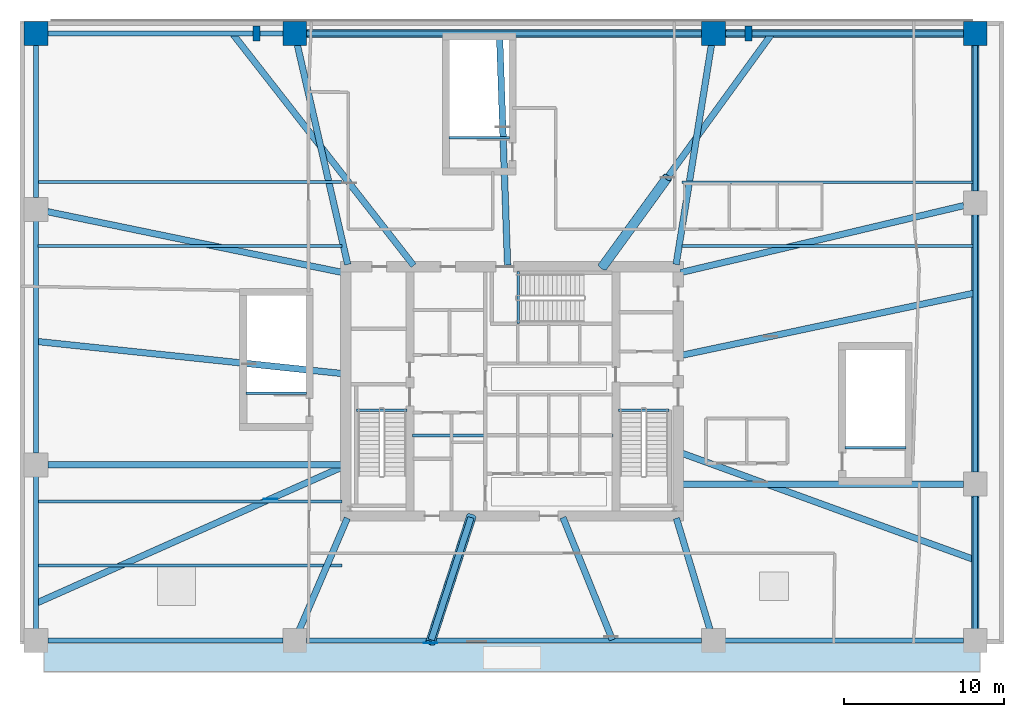
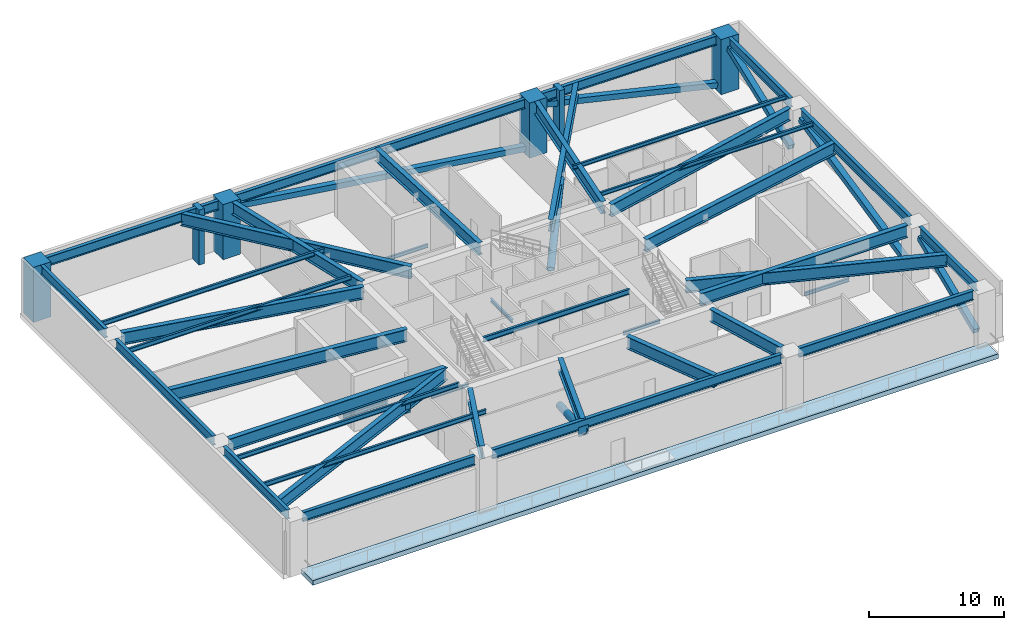
# One storey, part 3 of 10: 42 beams, 7 members, 6 columns, 2 plates, 1 slab.
"""IFC4 building model written with IfcOpenShell, lengths in metres."""

from ifc_helpers import new_model, si_unit, direction, frame, origin, origin_2d, place, context, subcontext, project, spatial, polyline, rectangle, hollow_rectangle, hollow_circle, i_section, outline, extrude, material, layer, layer_set, material_profile, profile_set, type_object, element, save


model = new_model("IFC4")

# Units and contexts
model_context = context("Model", 3, precision=1e-05, world=origin(), true_north=direction((0.0, 1.0)))
body_context = subcontext(model_context, "Body", "Model", "MODEL_VIEW")
ifc_project = project(units=[si_unit("LENGTHUNIT", "METRE"), si_unit("AREAUNIT", "SQUARE_METRE"), si_unit("VOLUMEUNIT", "CUBIC_METRE"), si_unit("PLANEANGLEUNIT", "RADIAN"), si_unit("MASSUNIT", "GRAM", prefix="KILO")], contexts=[model_context])

# Site, building, storey
site_placement = place(None, origin())
site = spatial("IfcSite", under=ifc_project, at=site_placement, CompositionType="ELEMENT")
building_placement = place(site_placement, origin())
building = spatial("IfcBuilding", under=site, at=building_placement, Name="Qarnah Convention Tower", CompositionType="ELEMENT")
storey_placement = place(building_placement, frame((0.0, 0.0, 21.60009765625)))
storey = spatial("IfcBuildingStorey", under=building, at=storey_placement, Name="L04", CompositionType="ELEMENT", Elevation=21.60009765625)

# Columns
ifc_material_1 = material(Name="Concrete C60/75", Category="concrete")
ifc_material_profile_1 = material_profile(ifc_material_1, rectangle(XDim=1.5, YDim=1.5, at=origin_2d()), Name="RC-COL-1500X1500")
ifc_profile_set_1 = profile_set([ifc_material_profile_1], Name="Concrete C60/75")
column_type_1 = type_object("IfcColumnType", Name="COL-MC1500", PredefinedType="COLUMN", material=ifc_profile_set_1)
for number, where, z_axis, x_axis, name in (
    (1, (66.199951171875, 48.800048828125, 0.0), (0.0, 0.0, 1.0), (1.0, 0.0, 0.0), "L04 plumb column MC-07"),
    (2, (49.800048828125, 48.800048828125, 0.0), (0.0, 0.0, 1.0), (1.0, 0.0, 0.0), "L04 plumb column MC-08"),
    (3, (23.60009765625, 48.800048828125, 0.0), (0.0, 0.0, 1.0), (1.0, 0.0, 0.0), "L04 plumb column MC-09"),
    (4, (7.39990234375, 48.800048828125, 0.0), (0.0, 0.0, 1.0), (1.0, 0.0, 0.0), "L04 plumb column MC-10"),
):
    element("IfcColumn", number, at=place(storey_placement, frame(where, z_axis=z_axis, x_axis=x_axis)), inside=storey, type_object=column_type_1, Name=name, PredefinedType="COLUMN", context=body_context, shape_type="SweptSolid", body=[
        extrude(rectangle(XDim=1.5, YDim=1.5, at=origin_2d()), origin(), (0.0, 0.0, 1.0), 4.97998046875),
    ])
ifc_material_2 = material(Name="Precast concrete C45/55", Category="concrete")
ifc_material_profile_2 = material_profile(ifc_material_2, rectangle(XDim=0.449951171875, YDim=0.949951171875, at=origin_2d()), Name="PC-RIB-450X950")
ifc_profile_set_2 = profile_set([ifc_material_profile_2], Name="Precast concrete C45/55")
column_type_2 = type_object("IfcColumnType", Name="PIL-POD-450", PredefinedType="PILASTER", material=ifc_profile_set_2)
for number, where, z_axis, x_axis, name in (
    (5, (21.199951171875, 48.800048828125, 0.0), (0.0, 0.0, 1.0), (1.0, 0.0, 0.0), "L04 structural concrete pilaster 1"),
    (6, (52.0, 48.800048828125, 0.0), (0.0, 0.0, 1.0), (1.0, 0.0, 0.0), "L04 structural concrete pilaster 2"),
):
    element("IfcColumn", number, at=place(storey_placement, frame(where, z_axis=z_axis, x_axis=x_axis)), inside=storey, type_object=column_type_2, Name=name, PredefinedType="PILASTER", context=body_context, shape_type="SweptSolid", body=[
        extrude(rectangle(XDim=0.449951171875, YDim=0.949951171875, at=origin_2d()), origin(), (0.0, 0.0, 1.0), 4.97998046875),
    ])

# Beams
ifc_material_3 = material(Name="Structural steel S355JR", Category="steel")
ifc_material_profile_3 = material_profile(ifc_material_3, i_section(OverallWidth=0.19189453125, OverallDepth=0.464111328125, WebThickness=0.010986328125, FlangeThickness=0.01806640625, at=origin_2d()), Name="W460X89")
ifc_profile_set_3 = profile_set([ifc_material_profile_3], Name="Structural steel S355JR")
beam_type_1 = type_object("IfcBeamType", Name="BM-CANT-W460A", PredefinedType="BEAM", material=ifc_profile_set_3)
beam_1_placement = place(storey_placement, frame((30.97998046875, 23.64990234375, 4.747802734375), z_axis=(1.0, 0.0, 0.0), x_axis=(0.0, 1.0, 0.0)))
element("IfcBeam", 7, at=beam_1_placement, inside=storey, type_object=beam_type_1, Name="L04 beam BM-L04-KC1", PredefinedType="BEAM", context=body_context, shape_type="SweptSolid", body=[
    extrude(i_section(OverallWidth=0.19189453125, OverallDepth=0.464111328125, WebThickness=0.010986328125, FlangeThickness=0.01806640625, at=origin_2d()), origin(), (0.0, 0.0, 1.0), 12.5400390625),
])
ifc_material_profile_4 = material_profile(ifc_material_3, i_section(OverallWidth=0.166015625, OverallDepth=0.31201171875, WebThickness=0.007080078125, FlangeThickness=0.010986328125, at=origin_2d()), Name="W310X45")
ifc_profile_set_4 = profile_set([ifc_material_profile_4], Name="Structural steel S355JR")
beam_type_2 = type_object("IfcBeamType", Name="BM-JST-W310", PredefinedType="JOIST", material=ifc_profile_set_4)
for number, where, z_axis, x_axis, name in (
    (8, (27.4599609375, 25.217041015625, -0.156005859375), (1.0, 0.0, 0.0), (0.0, 1.0, 0.0), "L04 stair landing trimmer beam BM-L04-ST1-TRM"),
    (9, (43.860107421875, 25.217041015625, -0.156005859375), (1.0, 0.0, 0.0), (0.0, 1.0, 0.0), "L04 stair landing trimmer beam BM-L04-ST2-TRM"),
):
    element("IfcBeam", number, at=place(storey_placement, frame(where, z_axis=z_axis, x_axis=x_axis)), inside=storey, type_object=beam_type_2, Name=name, PredefinedType="BEAM", context=body_context, shape_type="SweptSolid", body=[
        extrude(i_section(OverallWidth=0.166015625, OverallDepth=0.31201171875, WebThickness=0.007080078125, FlangeThickness=0.010986328125, at=origin_2d()), origin(), (0.0, 0.0, 1.0), 3.179931640625),
    ])
beam_2_placement = place(storey_placement, frame((37.5830078125, 30.659912109375, -0.156005859375), z_axis=(0.0, 1.0, 0.0), x_axis=(-1.0, 0.0, 0.0)))
element("IfcBeam", 10, at=beam_2_placement, inside=storey, type_object=beam_type_2, Name="L04 stair landing trimmer beam BM-L04-ST3-TRM", PredefinedType="BEAM", context=body_context, shape_type="SweptSolid", body=[
    extrude(i_section(OverallWidth=0.166015625, OverallDepth=0.31201171875, WebThickness=0.007080078125, FlangeThickness=0.010986328125, at=origin_2d()), origin(), (0.0, 0.0, 1.0), 3.239990234375),
])
for number, where, z_axis, x_axis, name in (
    (11, (58.050048828125, 22.883056640625, -0.156005859375), (1.0, 0.0, 0.0), (0.0, 1.0, 0.0), "L04 podium stair trimmer beam BM-L04-ST4-TRM"),
    (12, (20.550048828125, 26.282958984375, -0.156005859375), (1.0, 0.0, 0.0), (0.0, 1.0, 0.0), "L04 podium stair trimmer beam BM-L04-ST5-TRM"),
    (13, (33.25, 42.282958984375, -0.156005859375), (1.0, 0.0, 0.0), (0.0, 1.0, 0.0), "L04 podium stair trimmer beam BM-L04-ST6-TRM"),
):
    element("IfcBeam", number, at=place(storey_placement, frame(where, z_axis=z_axis, x_axis=x_axis)), inside=storey, type_object=beam_type_2, Name=name, PredefinedType="BEAM", context=body_context, shape_type="SweptSolid", body=[
        extrude(i_section(OverallWidth=0.166015625, OverallDepth=0.31201171875, WebThickness=0.007080078125, FlangeThickness=0.010986328125, at=origin_2d()), origin(), (0.0, 0.0, 1.0), 3.800048828125),
    ])
ifc_material_profile_5 = material_profile(ifc_material_3, i_section(OverallWidth=0.172119140625, OverallDepth=0.35595703125, WebThickness=0.007080078125, FlangeThickness=0.011962890625, at=origin_2d()), Name="W360X51")
ifc_profile_set_5 = profile_set([ifc_material_profile_5], Name="Structural steel S355JR")
beam_type_3 = type_object("IfcBeamType", Name="BM-JST-W360", PredefinedType="JOIST", material=ifc_profile_set_5)
for number, where, z_axis, x_axis, name in (
    (14, (47.85009765625, 35.5, 4.802001953125), (1.0, 0.0, 0.0), (0.0, 1.0, 0.0), "L04 joist BM-L04-JSTE-03"),
    (15, (47.85009765625, 39.5, 4.802001953125), (1.0, 0.0, 0.0), (0.0, 1.0, 0.0), "L04 joist BM-L04-JSTE-04"),
):
    element("IfcBeam", number, at=place(storey_placement, frame(where, z_axis=z_axis, x_axis=x_axis)), inside=storey, type_object=beam_type_3, Name=name, PredefinedType="JOIST", context=body_context, shape_type="SweptSolid", body=[
        extrude(i_section(OverallWidth=0.172119140625, OverallDepth=0.35595703125, WebThickness=0.007080078125, FlangeThickness=0.011962890625, at=origin_2d()), origin(), (0.0, 0.0, 1.0), 18.2099609375),
    ])
ifc_material_profile_6 = material_profile(ifc_material_3, i_section(OverallWidth=0.177978515625, OverallDepth=0.407958984375, WebThickness=0.008056640625, FlangeThickness=0.012939453125, at=origin_2d()), Name="W410X60")
ifc_profile_set_6 = profile_set([ifc_material_profile_6], Name="Structural steel S355JR")
beam_type_4 = type_object("IfcBeamType", Name="BM-JST-W410", PredefinedType="JOIST", material=ifc_profile_set_6)
for number, where, z_axis, x_axis, name in (
    (16, (7.5400390625, 15.5, 4.77587890625), (1.0, 0.0, 0.0), (0.0, 1.0, 0.0), "L04 joist BM-L04-JSTW-01"),
    (17, (7.5400390625, 19.5, 4.77587890625), (1.0, 0.0, 0.0), (0.0, 1.0, 0.0), "L04 joist BM-L04-JSTW-02"),
    (18, (7.5400390625, 35.5, 4.77587890625), (1.0, 0.0, 0.0), (0.0, 1.0, 0.0), "L04 joist BM-L04-JSTW-03"),
    (19, (7.5400390625, 39.5, 4.77587890625), (1.0, 0.0, 0.0), (0.0, 1.0, 0.0), "L04 joist BM-L04-JSTW-04"),
):
    element("IfcBeam", number, at=place(storey_placement, frame(where, z_axis=z_axis, x_axis=x_axis)), inside=storey, type_object=beam_type_4, Name=name, PredefinedType="JOIST", context=body_context, shape_type="SweptSolid", body=[
        extrude(i_section(OverallWidth=0.177978515625, OverallDepth=0.407958984375, WebThickness=0.008056640625, FlangeThickness=0.012939453125, at=origin_2d()), origin(), (0.0, 0.0, 1.0), 19.010009765625),
    ])
ifc_material_profile_7 = material_profile(ifc_material_3, i_section(OverallWidth=0.2939453125, OverallDepth=0.843994140625, WebThickness=0.01708984375, FlangeThickness=0.02587890625, at=origin_2d()), Name="W840X251")
ifc_profile_set_7 = profile_set([ifc_material_profile_7], Name="Structural steel S355JR")
beam_type_5 = type_object("IfcBeamType", Name="BM-POD-W840A", PredefinedType="BEAM", material=ifc_profile_set_7)
beam_3_placement = place(storey_placement, frame((8.139892578125, 10.800048828125, 4.557861328125), z_axis=(1.0, 0.0, 0.0), x_axis=(0.0, 1.0, 0.0)))
element("IfcBeam", 20, at=beam_3_placement, inside=storey, type_object=beam_type_5, Name="L04 spandrel BM-L04-PRG-01", PredefinedType="SPANDREL", context=body_context, shape_type="SweptSolid", body=[
    extrude(i_section(OverallWidth=0.2939453125, OverallDepth=0.843994140625, WebThickness=0.01708984375, FlangeThickness=0.02587890625, at=origin_2d()), origin(), (0.0, 0.0, 1.0), 14.72021484375),
])
beam_4_placement = place(storey_placement, frame((24.340087890625, 10.800048828125, 4.557861328125), z_axis=(1.0, 0.0, 0.0), x_axis=(0.0, 1.0, 0.0)))
element("IfcBeam", 21, at=beam_4_placement, inside=storey, type_object=beam_type_5, Name="L04 spandrel BM-L04-PRG-02", PredefinedType="SPANDREL", context=body_context, shape_type="SweptSolid", body=[
    extrude(i_section(OverallWidth=0.2939453125, OverallDepth=0.843994140625, WebThickness=0.01708984375, FlangeThickness=0.02587890625, at=origin_2d()), origin(), (0.0, 0.0, 1.0), 24.719970703125),
])
beam_5_placement = place(storey_placement, frame((50.5400390625, 10.800048828125, 4.557861328125), z_axis=(1.0, 0.0, 0.0), x_axis=(0.0, 1.0, 0.0)))
element("IfcBeam", 22, at=beam_5_placement, inside=storey, type_object=beam_type_5, Name="L04 spandrel BM-L04-PRG-03", PredefinedType="SPANDREL", context=body_context, shape_type="SweptSolid", body=[
    extrude(i_section(OverallWidth=0.2939453125, OverallDepth=0.843994140625, WebThickness=0.01708984375, FlangeThickness=0.02587890625, at=origin_2d()), origin(), (0.0, 0.0, 1.0), 14.919921875),
])
beam_6_placement = place(storey_placement, frame((66.199951171875, 11.5400390625, 4.557861328125), z_axis=(0.0, 1.0, 0.0), x_axis=(-1.0, 0.0, 0.0)))
element("IfcBeam", 23, at=beam_6_placement, inside=storey, type_object=beam_type_5, Name="L04 spandrel BM-L04-PRG-04", PredefinedType="SPANDREL", context=body_context, shape_type="SweptSolid", body=[
    extrude(i_section(OverallWidth=0.2939453125, OverallDepth=0.843994140625, WebThickness=0.01708984375, FlangeThickness=0.02587890625, at=origin_2d()), origin(), (0.0, 0.0, 1.0), 8.320068359375),
])
beam_7_placement = place(storey_placement, frame((66.199951171875, 21.340087890625, 4.557861328125), z_axis=(0.0, 1.0, 0.0), x_axis=(-1.0, 0.0, 0.0)))
element("IfcBeam", 24, at=beam_7_placement, inside=storey, type_object=beam_type_5, Name="L04 spandrel BM-L04-PRG-05", PredefinedType="SPANDREL", context=body_context, shape_type="SweptSolid", body=[
    extrude(i_section(OverallWidth=0.2939453125, OverallDepth=0.843994140625, WebThickness=0.01708984375, FlangeThickness=0.02587890625, at=origin_2d()), origin(), (0.0, 0.0, 1.0), 16.119873046875),
])
beam_8_placement = place(storey_placement, frame((66.199951171875, 38.93994140625, 4.557861328125), z_axis=(0.0, 1.0, 0.0), x_axis=(-1.0, 0.0, 0.0)))
element("IfcBeam", 25, at=beam_8_placement, inside=storey, type_object=beam_type_5, Name="L04 spandrel BM-L04-PRG-06", PredefinedType="SPANDREL", context=body_context, shape_type="SweptSolid", body=[
    extrude(i_section(OverallWidth=0.2939453125, OverallDepth=0.843994140625, WebThickness=0.01708984375, FlangeThickness=0.02587890625, at=origin_2d()), origin(), (0.0, 0.0, 1.0), 9.1201171875),
])
beam_9_placement = place(storey_placement, frame((65.4599609375, 48.800048828125, 4.557861328125), z_axis=(-1.0, 0.0, 0.0), x_axis=(0.0, -1.0, 0.0)))
element("IfcBeam", 26, at=beam_9_placement, inside=storey, type_object=beam_type_5, Name="L04 spandrel BM-L04-PRG-07", PredefinedType="SPANDREL", context=body_context, shape_type="SweptSolid", body=[
    extrude(i_section(OverallWidth=0.2939453125, OverallDepth=0.843994140625, WebThickness=0.01708984375, FlangeThickness=0.02587890625, at=origin_2d()), origin(), (0.0, 0.0, 1.0), 14.919921875),
])
beam_10_placement = place(storey_placement, frame((49.06005859375, 48.800048828125, 4.557861328125), z_axis=(-1.0, 0.0, 0.0), x_axis=(0.0, -1.0, 0.0)))
element("IfcBeam", 27, at=beam_10_placement, inside=storey, type_object=beam_type_5, Name="L04 spandrel BM-L04-PRG-08", PredefinedType="SPANDREL", context=body_context, shape_type="SweptSolid", body=[
    extrude(i_section(OverallWidth=0.2939453125, OverallDepth=0.843994140625, WebThickness=0.01708984375, FlangeThickness=0.02587890625, at=origin_2d()), origin(), (0.0, 0.0, 1.0), 24.719970703125),
])
beam_11_placement = place(storey_placement, frame((22.860107421875, 48.800048828125, 4.557861328125), z_axis=(-1.0, 0.0, 0.0), x_axis=(0.0, -1.0, 0.0)))
element("IfcBeam", 28, at=beam_11_placement, inside=storey, type_object=beam_type_5, Name="L04 spandrel BM-L04-PRG-09", PredefinedType="SPANDREL", context=body_context, shape_type="SweptSolid", body=[
    extrude(i_section(OverallWidth=0.2939453125, OverallDepth=0.843994140625, WebThickness=0.01708984375, FlangeThickness=0.02587890625, at=origin_2d()), origin(), (0.0, 0.0, 1.0), 14.72021484375),
])
beam_12_placement = place(storey_placement, frame((7.39990234375, 48.06005859375, 4.557861328125), z_axis=(0.0, -1.0, 0.0), x_axis=(1.0, 0.0, 0.0)))
element("IfcBeam", 29, at=beam_12_placement, inside=storey, type_object=beam_type_5, Name="L04 spandrel BM-L04-PRG-10", PredefinedType="SPANDREL", context=body_context, shape_type="SweptSolid", body=[
    extrude(i_section(OverallWidth=0.2939453125, OverallDepth=0.843994140625, WebThickness=0.01708984375, FlangeThickness=0.02587890625, at=origin_2d()), origin(), (0.0, 0.0, 1.0), 9.52001953125),
])
beam_13_placement = place(storey_placement, frame((7.39990234375, 37.06005859375, 4.557861328125), z_axis=(0.0, -1.0, 0.0), x_axis=(1.0, 0.0, 0.0)))
element("IfcBeam", 30, at=beam_13_placement, inside=storey, type_object=beam_type_5, Name="L04 spandrel BM-L04-PRG-11", PredefinedType="SPANDREL", context=body_context, shape_type="SweptSolid", body=[
    extrude(i_section(OverallWidth=0.2939453125, OverallDepth=0.843994140625, WebThickness=0.01708984375, FlangeThickness=0.02587890625, at=origin_2d()), origin(), (0.0, 0.0, 1.0), 14.52001953125),
])
beam_14_placement = place(storey_placement, frame((7.39990234375, 21.06005859375, 4.557861328125), z_axis=(0.0, -1.0, 0.0), x_axis=(1.0, 0.0, 0.0)))
element("IfcBeam", 31, at=beam_14_placement, inside=storey, type_object=beam_type_5, Name="L04 spandrel BM-L04-PRG-12", PredefinedType="SPANDREL", context=body_context, shape_type="SweptSolid", body=[
    extrude(i_section(OverallWidth=0.2939453125, OverallDepth=0.843994140625, WebThickness=0.01708984375, FlangeThickness=0.02587890625, at=origin_2d()), origin(), (0.0, 0.0, 1.0), 9.52001953125),
])
ifc_material_profile_8 = material_profile(ifc_material_3, i_section(OverallWidth=0.405029296875, OverallDepth=1.117919921875, WebThickness=0.02587890625, FlangeThickness=0.0400390625, at=origin_2d()), Name="W1100X499")
ifc_profile_set_8 = profile_set([ifc_material_profile_8], Name="Structural steel S355JR")
beam_type_6 = type_object("IfcBeamType", Name="BM-TG-W1000A", PredefinedType="USERDEFINED", material=ifc_profile_set_8)
beam_15_placement = place(storey_placement, frame((23.89208984375, 11.47998046875, 4.4208984375), z_axis=(0.394671426101, 0.918822325272, 0.0), x_axis=(-0.918822325272, 0.394671426101, 0.0)))
element("IfcBeam", 32, at=beam_15_placement, inside=storey, type_object=beam_type_6, Name="L04 transfer girder BM-L04-CSP-02", ObjectType="TRANSFER_GIRDER", PredefinedType="USERDEFINED", context=body_context, shape_type="SweptSolid", body=[
    extrude(i_section(OverallWidth=0.405029296875, OverallDepth=1.117919921875, WebThickness=0.02587890625, FlangeThickness=0.0400390625, at=origin_2d()), origin(), (0.0, 0.0, 1.0), 7.598876953125),
])
beam_16_placement = place(storey_placement, frame((49.5869140625, 11.509033203125, 4.4208984375), z_axis=(-0.288597860152, 0.957450403476, 0.0), x_axis=(-0.957450403476, -0.288597860152, 0.0)))
element("IfcBeam", 33, at=beam_16_placement, inside=storey, type_object=beam_type_6, Name="L04 transfer girder BM-L04-CSP-03", ObjectType="TRANSFER_GIRDER", PredefinedType="USERDEFINED", context=body_context, shape_type="SweptSolid", body=[
    extrude(i_section(OverallWidth=0.405029296875, OverallDepth=1.117919921875, WebThickness=0.02587890625, FlangeThickness=0.0400390625, at=origin_2d()), origin(), (0.0, 0.0, 1.0), 7.255859375),
])
beam_17_placement = place(storey_placement, frame((65.4599609375, 20.60009765625, 4.4208984375), z_axis=(-1.0, 0.0, 0.0), x_axis=(0.0, -1.0, 0.0)))
element("IfcBeam", 34, at=beam_17_placement, inside=storey, type_object=beam_type_6, Name="L04 transfer girder BM-L04-CSP-05", ObjectType="TRANSFER_GIRDER", PredefinedType="USERDEFINED", context=body_context, shape_type="SweptSolid", body=[
    extrude(i_section(OverallWidth=0.405029296875, OverallDepth=1.117919921875, WebThickness=0.02587890625, FlangeThickness=0.0400390625, at=origin_2d()), origin(), (0.0, 0.0, 1.0), 17.7099609375),
])
beam_18_placement = place(storey_placement, frame((65.47998046875, 38.030029296875, 4.4208984375), z_axis=(-0.973142555293, -0.230203316826, 0.0), x_axis=(0.230203316826, -0.973142555293, 0.0)))
element("IfcBeam", 35, at=beam_18_placement, inside=storey, type_object=beam_type_6, Name="L04 transfer girder BM-L04-CSP-06", ObjectType="TRANSFER_GIRDER", PredefinedType="USERDEFINED", context=body_context, shape_type="SweptSolid", body=[
    extrude(i_section(OverallWidth=0.405029296875, OverallDepth=1.117919921875, WebThickness=0.02587890625, FlangeThickness=0.0400390625, at=origin_2d()), origin(), (0.0, 0.0, 1.0), 18.223388671875),
])
beam_19_placement = place(storey_placement, frame((49.681884765625, 48.069091796875, 4.4208984375), z_axis=(-0.158858513675, -0.987301358569, 0.0), x_axis=(0.987301358569, -0.158858513675, 0.0)))
element("IfcBeam", 36, at=beam_19_placement, inside=storey, type_object=beam_type_6, Name="L04 transfer girder BM-L04-CSP-08", ObjectType="TRANSFER_GIRDER", PredefinedType="USERDEFINED", context=body_context, shape_type="SweptSolid", body=[
    extrude(i_section(OverallWidth=0.405029296875, OverallDepth=1.117919921875, WebThickness=0.02587890625, FlangeThickness=0.0400390625, at=origin_2d()), origin(), (0.0, 0.0, 1.0), 13.897705078125),
])
beam_20_placement = place(storey_placement, frame((23.764892578125, 48.0791015625, 4.4208984375), z_axis=(0.223641950583, -0.974671369201, 0.0), x_axis=(0.974671369201, 0.223641950583, 0.0)))
element("IfcBeam", 37, at=beam_20_placement, inside=storey, type_object=beam_type_6, Name="L04 transfer girder BM-L04-CSP-09", ObjectType="TRANSFER_GIRDER", PredefinedType="USERDEFINED", context=body_context, shape_type="SweptSolid", body=[
    extrude(i_section(OverallWidth=0.405029296875, OverallDepth=1.117919921875, WebThickness=0.02587890625, FlangeThickness=0.0400390625, at=origin_2d()), origin(), (0.0, 0.0, 1.0), 14.090087890625),
])
beam_21_placement = place(storey_placement, frame((8.125, 37.65087890625, 4.4208984375), z_axis=(0.979392295242, -0.201967155796, 0.0), x_axis=(0.201967155796, 0.979392295242, 0.0)))
element("IfcBeam", 38, at=beam_21_placement, inside=storey, type_object=beam_type_6, Name="L04 transfer girder BM-L04-CSP-11", ObjectType="TRANSFER_GIRDER", PredefinedType="USERDEFINED", context=body_context, shape_type="SweptSolid", body=[
    extrude(i_section(OverallWidth=0.405029296875, OverallDepth=1.117919921875, WebThickness=0.02587890625, FlangeThickness=0.0400390625, at=origin_2d()), origin(), (0.0, 0.0, 1.0), 18.91796875),
])
beam_22_placement = place(storey_placement, frame((8.139892578125, 21.800048828125, 4.4208984375), z_axis=(1.0, 0.0, 0.0), x_axis=(0.0, 1.0, 0.0)))
element("IfcBeam", 39, at=beam_22_placement, inside=storey, type_object=beam_type_6, Name="L04 transfer girder BM-L04-CSP-12", ObjectType="TRANSFER_GIRDER", PredefinedType="USERDEFINED", context=body_context, shape_type="SweptSolid", body=[
    extrude(i_section(OverallWidth=0.405029296875, OverallDepth=1.117919921875, WebThickness=0.02587890625, FlangeThickness=0.0400390625, at=origin_2d()), origin(), (0.0, 0.0, 1.0), 18.510009765625),
])
beam_23_placement = place(storey_placement, frame((47.697998046875, 28.632080078125, 4.4208984375), z_axis=(0.978151976277, 0.20789110444, 0.0), x_axis=(-0.20789110444, 0.978151976277, 0.0)))
element("IfcBeam", 40, at=beam_23_placement, inside=storey, type_object=beam_type_6, Name="L04 transfer girder BM-L04-TG-01", ObjectType="TRANSFER_GIRDER", PredefinedType="USERDEFINED", context=body_context, shape_type="SweptSolid", body=[
    extrude(i_section(OverallWidth=0.405029296875, OverallDepth=1.117919921875, WebThickness=0.02587890625, FlangeThickness=0.0400390625, at=origin_2d()), origin(), (0.0, 0.0, 1.0), 18.864990234375),
])
beam_24_placement = place(storey_placement, frame((42.926025390625, 34.281005859375, 4.4208984375), z_axis=(0.587800152035, 0.809006168869, 0.0), x_axis=(-0.809006168869, 0.587800152035, 0.0)))
element("IfcBeam", 41, at=beam_24_placement, inside=storey, type_object=beam_type_6, Name="L04 transfer girder BM-L04-TG-02", ObjectType="TRANSFER_GIRDER", PredefinedType="USERDEFINED", context=body_context, shape_type="SweptSolid", body=[
    extrude(i_section(OverallWidth=0.405029296875, OverallDepth=1.117919921875, WebThickness=0.02587890625, FlangeThickness=0.0400390625, at=origin_2d()), origin(), (0.0, 0.0, 1.0), 17.897216796875),
])
beam_25_placement = place(storey_placement, frame((36.924072265625, 34.300048828125, 4.4208984375), z_axis=(-0.034935661662, 0.999389563456, 0.0), x_axis=(-0.999389563456, -0.034935661662, 0.0)))
element("IfcBeam", 42, at=beam_25_placement, inside=storey, type_object=beam_type_6, Name="L04 transfer girder BM-L04-TG-03", ObjectType="TRANSFER_GIRDER", PredefinedType="USERDEFINED", context=body_context, shape_type="SweptSolid", body=[
    extrude(i_section(OverallWidth=0.405029296875, OverallDepth=1.117919921875, WebThickness=0.02587890625, FlangeThickness=0.0400390625, at=origin_2d()), origin(), (0.0, 0.0, 1.0), 14.458740234375),
])
beam_26_placement = place(storey_placement, frame((31.0439453125, 34.279052734375, 4.4208984375), z_axis=(-0.615609495033, 0.788051362302, 0.0), x_axis=(-0.788051362302, -0.615609495033, 0.0)))
element("IfcBeam", 43, at=beam_26_placement, inside=storey, type_object=beam_type_6, Name="L04 transfer girder BM-L04-TG-04", ObjectType="TRANSFER_GIRDER", PredefinedType="USERDEFINED", context=body_context, shape_type="SweptSolid", body=[
    extrude(i_section(OverallWidth=0.405029296875, OverallDepth=1.117919921875, WebThickness=0.02587890625, FlangeThickness=0.0400390625, at=origin_2d()), origin(), (0.0, 0.0, 1.0), 18.376953125),
])
beam_27_placement = place(storey_placement, frame((26.700927734375, 27.5029296875, 4.4208984375), z_axis=(-0.994517540422, 0.10456988951, 0.0), x_axis=(-0.10456988951, -0.994517540422, 0.0)))
element("IfcBeam", 44, at=beam_27_placement, inside=storey, type_object=beam_type_6, Name="L04 transfer girder BM-L04-TG-05", ObjectType="TRANSFER_GIRDER", PredefinedType="USERDEFINED", context=body_context, shape_type="SweptSolid", body=[
    extrude(i_section(OverallWidth=0.405029296875, OverallDepth=1.117919921875, WebThickness=0.02587890625, FlangeThickness=0.0400390625, at=origin_2d()), origin(), (0.0, 0.0, 1.0), 19.357177734375),
])
beam_28_placement = place(storey_placement, frame((26.708984375, 21.72900390625, 4.4208984375), z_axis=(-0.913554012454, -0.406717428112, 0.0), x_axis=(0.406717428112, -0.913554012454, 0.0)))
element("IfcBeam", 45, at=beam_28_placement, inside=storey, type_object=beam_type_6, Name="L04 transfer girder BM-L04-TG-06", ObjectType="TRANSFER_GIRDER", PredefinedType="USERDEFINED", context=body_context, shape_type="SweptSolid", body=[
    extrude(i_section(OverallWidth=0.405029296875, OverallDepth=1.117919921875, WebThickness=0.02587890625, FlangeThickness=0.0400390625, at=origin_2d()), origin(), (0.0, 0.0, 1.0), 21.085693359375),
])
beam_29_placement = place(storey_placement, frame((34.635009765625, 18.5048828125, 4.4208984375), z_axis=(-0.309141609449, -0.951016017377, 0.0), x_axis=(0.951016017377, -0.309141609449, 0.0)))
element("IfcBeam", 46, at=beam_29_placement, inside=storey, type_object=beam_type_6, Name="L04 transfer girder BM-L04-TG-07", ObjectType="TRANSFER_GIRDER", PredefinedType="USERDEFINED", context=body_context, shape_type="SweptSolid", body=[
    extrude(i_section(OverallWidth=0.405029296875, OverallDepth=1.117919921875, WebThickness=0.02587890625, FlangeThickness=0.0400390625, at=origin_2d()), origin(), (0.0, 0.0, 1.0), 8.05126953125),
])
beam_30_placement = place(storey_placement, frame((40.388916015625, 18.507080078125, 4.4208984375), z_axis=(0.374572480443, -0.927197636373, 0.0), x_axis=(0.927197636373, 0.374572480443, 0.0)))
element("IfcBeam", 47, at=beam_30_placement, inside=storey, type_object=beam_type_6, Name="L04 transfer girder BM-L04-TG-08", ObjectType="TRANSFER_GIRDER", PredefinedType="USERDEFINED", context=body_context, shape_type="SweptSolid", body=[
    extrude(i_section(OverallWidth=0.405029296875, OverallDepth=1.117919921875, WebThickness=0.02587890625, FlangeThickness=0.0400390625, at=origin_2d()), origin(), (0.0, 0.0, 1.0), 8.2626953125),
])
beam_31_placement = place(storey_placement, frame((47.694091796875, 22.5810546875, 4.4208984375), z_axis=(0.939700855007, -0.341997519141, 0.0), x_axis=(0.341997519141, 0.939700855007, 0.0)))
element("IfcBeam", 48, at=beam_31_placement, inside=storey, type_object=beam_type_6, Name="L04 transfer girder BM-L04-TG-09", ObjectType="TRANSFER_GIRDER", PredefinedType="USERDEFINED", context=body_context, shape_type="SweptSolid", body=[
    extrude(i_section(OverallWidth=0.405029296875, OverallDepth=1.117919921875, WebThickness=0.02587890625, FlangeThickness=0.0400390625, at=origin_2d()), origin(), (0.0, 0.0, 1.0), 19.6435546875),
])

# Members
ifc_material_profile_9 = material_profile(ifc_material_3, hollow_circle(Radius=0.304931640625, WallThickness=0.02490234375, at=origin_2d()), Name="CHS610X25")
ifc_profile_set_9 = profile_set([ifc_material_profile_9], Name="Structural steel S355JR")
member_type_1 = type_object("IfcMemberType", Name="MBR-BRC-CHS610", PredefinedType="BRACE", material=ifc_profile_set_9)
member_1_placement = place(storey_placement, frame((42.866943359375, 34.199951171875, 0.5498046875), z_axis=(0.525883696586, 0.723761901283, 0.446782998687), x_axis=(-0.808995788422, 0.587814438676, 0.0)))
element("IfcMember", 49, at=member_1_placement, inside=storey, type_object=member_type_1, Name="L04 podium transfer diagonal 02", PredefinedType="BRACE", context=body_context, shape_type="SweptSolid", body=[
    extrude(hollow_circle(Radius=0.304931640625, WallThickness=0.02490234375, at=origin_2d()), origin(), (0.0, 0.0, 1.0), 7.722412109375),
])
member_2_placement = place(storey_placement, frame((34.666015625, 18.60009765625, 0.5498046875), z_axis=(-0.285606853792, -0.878954552034, 0.381926197747), x_axis=(0.951051044097, -0.309033835563, 0.0)))
element("IfcMember", 50, at=member_2_placement, inside=storey, type_object=member_type_1, Name="L04 podium transfer diagonal 07", PredefinedType="BRACE", context=body_context, shape_type="SweptSolid", body=[
    extrude(hollow_circle(Radius=0.304931640625, WallThickness=0.02490234375, at=origin_2d()), origin(), (0.0, 0.0, 1.0), 9.03369140625),
])
ifc_material_profile_10 = material_profile(ifc_material_3, hollow_rectangle(XDim=0.5, YDim=0.5, WallThickness=0.02001953125, at=origin_2d()), Name="HSS500X500X20")
ifc_profile_set_10 = profile_set([ifc_material_profile_10], Name="Structural steel S355JR")
member_type_2 = type_object("IfcMemberType", Name="MBR-CHD-HSS500", PredefinedType="CHORD", material=ifc_profile_set_10)
member_3_placement = place(storey_placement, frame((66.199951171875, 11.56005859375, 0.5498046875), z_axis=(0.0, 0.923069675743, 0.384632777756), x_axis=(-1.0, 0.0, 0.0)))
element("IfcMember", 51, at=member_3_placement, inside=storey, type_object=member_type_2, Name="L04 podium perimeter framing chord 03", PredefinedType="CHORD", context=body_context, shape_type="SweptSolid", body=[
    extrude(hollow_rectangle(XDim=0.5, YDim=0.5, WallThickness=0.02001953125, at=origin_2d()), origin(), (0.0, 0.0, 1.0), 8.97021484375),
])
member_4_placement = place(storey_placement, frame((66.199951171875, 21.360107421875, 0.5498046875), z_axis=(0.0, 0.977746112082, 0.209791659292), x_axis=(-1.0, 0.0, 0.0)))
element("IfcMember", 52, at=member_4_placement, inside=storey, type_object=member_type_2, Name="L04 podium perimeter framing chord 04", PredefinedType="CHORD", context=body_context, shape_type="SweptSolid", body=[
    extrude(hollow_rectangle(XDim=0.5, YDim=0.5, WallThickness=0.02001953125, at=origin_2d()), origin(), (0.0, 0.0, 1.0), 16.44580078125),
])
member_5_placement = place(storey_placement, frame((66.199951171875, 38.9599609375, 0.5498046875), z_axis=(0.0, 0.934791592375, 0.355196676259), x_axis=(-1.0, 0.0, 0.0)))
element("IfcMember", 53, at=member_5_placement, inside=storey, type_object=member_type_2, Name="L04 podium perimeter framing chord 05", PredefinedType="CHORD", context=body_context, shape_type="SweptSolid", body=[
    extrude(hollow_rectangle(XDim=0.5, YDim=0.5, WallThickness=0.02001953125, at=origin_2d()), origin(), (0.0, 0.0, 1.0), 9.71337890625),
])
member_6_placement = place(storey_placement, frame((65.43994140625, 48.800048828125, 0.5498046875), z_axis=(-0.974155762027, 0.0, 0.225877292593), x_axis=(0.0, -1.0, 0.0)))
element("IfcMember", 54, at=member_6_placement, inside=storey, type_object=member_type_2, Name="L04 podium perimeter framing chord 06", PredefinedType="CHORD", context=body_context, shape_type="SweptSolid", body=[
    extrude(hollow_rectangle(XDim=0.5, YDim=0.5, WallThickness=0.02001953125, at=origin_2d()), origin(), (0.0, 0.0, 1.0), 15.274658203125),
])
member_7_placement = place(storey_placement, frame((49.0400390625, 48.800048828125, 0.5498046875), z_axis=(-0.990369250245, 0.0, 0.13845124835), x_axis=(0.0, -1.0, 0.0)))
element("IfcMember", 55, at=member_7_placement, inside=storey, type_object=member_type_2, Name="L04 podium perimeter framing chord 07", PredefinedType="CHORD", context=body_context, shape_type="SweptSolid", body=[
    extrude(hollow_rectangle(XDim=0.5, YDim=0.5, WallThickness=0.02001953125, at=origin_2d()), origin(), (0.0, 0.0, 1.0), 24.919921875),
])

# Plates
ifc_layer_1 = layer(ifc_material_3, 0.031982421875)
ifc_layer_set_1 = layer_set([ifc_layer_1], Name="Structural steel S355JR")
plate_type = type_object("IfcPlateType", Name="PLT-GUSSET-32", PredefinedType="USERDEFINED", material=ifc_layer_set_1)
for number, where, z_axis, x_axis, name in (
    (56, (22.0810546875, 19.6689453125, 3.574951171875), (0.0, 0.0, 1.0), (1.0, 0.0, 0.0), "L04 transfer node gusset plate PC-Z1-06"),
    (57, (32.0859375, 10.659912109375, 3.574951171875), (0.0, 0.0, 1.0), (1.0, 0.0, 0.0), "L04 transfer node gusset plate PC-Z1-07"),
):
    element("IfcPlate", number, at=place(storey_placement, frame(where, z_axis=z_axis, x_axis=x_axis)), inside=storey, type_object=plate_type, Name=name, ObjectType="GUSSET_PLATE", PredefinedType="USERDEFINED", context=body_context, shape_type="SweptSolid", body=[
        extrude(rectangle(XDim=0.85009765625, YDim=0.031982421875, at=origin_2d()), origin(), (0.0, 0.0, 1.0), 0.85009765625),
    ])

# Slab
ifc_material_4 = material(Name="Concrete C50/60", Category="concrete")
ifc_layer_2 = layer(ifc_material_4, 0.419921875)
ifc_layer_set_2 = layer_set([ifc_layer_2], Name="Concrete C50/60")
slab_type = type_object("IfcSlabType", Name="SLB-TRF-420", PredefinedType="FLOOR", material=ifc_layer_set_2)
slab_placement = place(storey_placement, frame((0.0, 0.0, -0.420166015625)))
element("IfcSlab", 58, at=slab_placement, inside=storey, type_object=slab_type, Name="L04 cantilevered balcony slab TERR-L04-S", ObjectType="BALCONY", PredefinedType="USERDEFINED", context=body_context, shape_type="SweptSolid", body=[
    extrude(outline(polyline([(66.5, 8.85009765625), (7.89990234375, 8.85009765625), (7.89990234375, 10.60400390625), (66.5, 10.60400390625), (66.5, 8.85009765625)])), origin(), (0.0, 0.0, 1.0), 0.420166015625),
])

save(model, "model.ifc")
